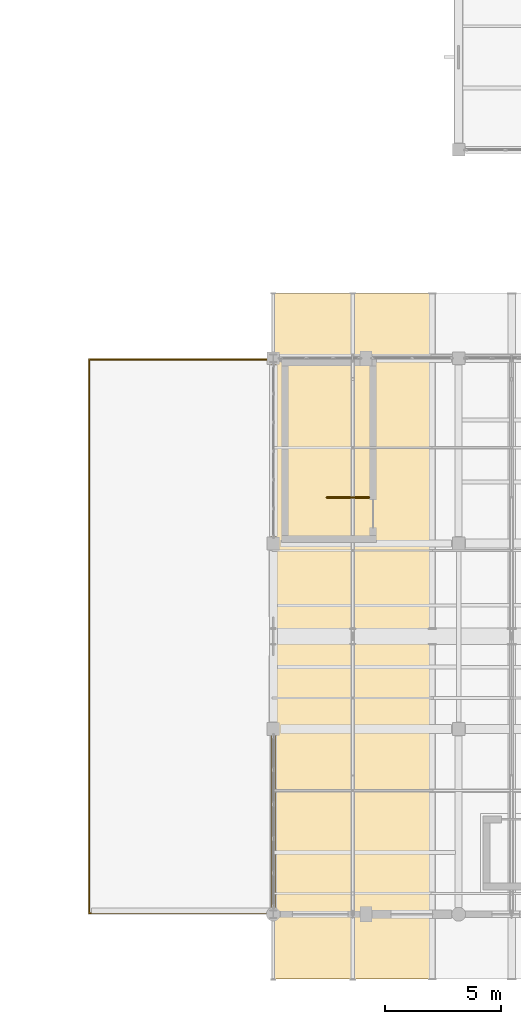
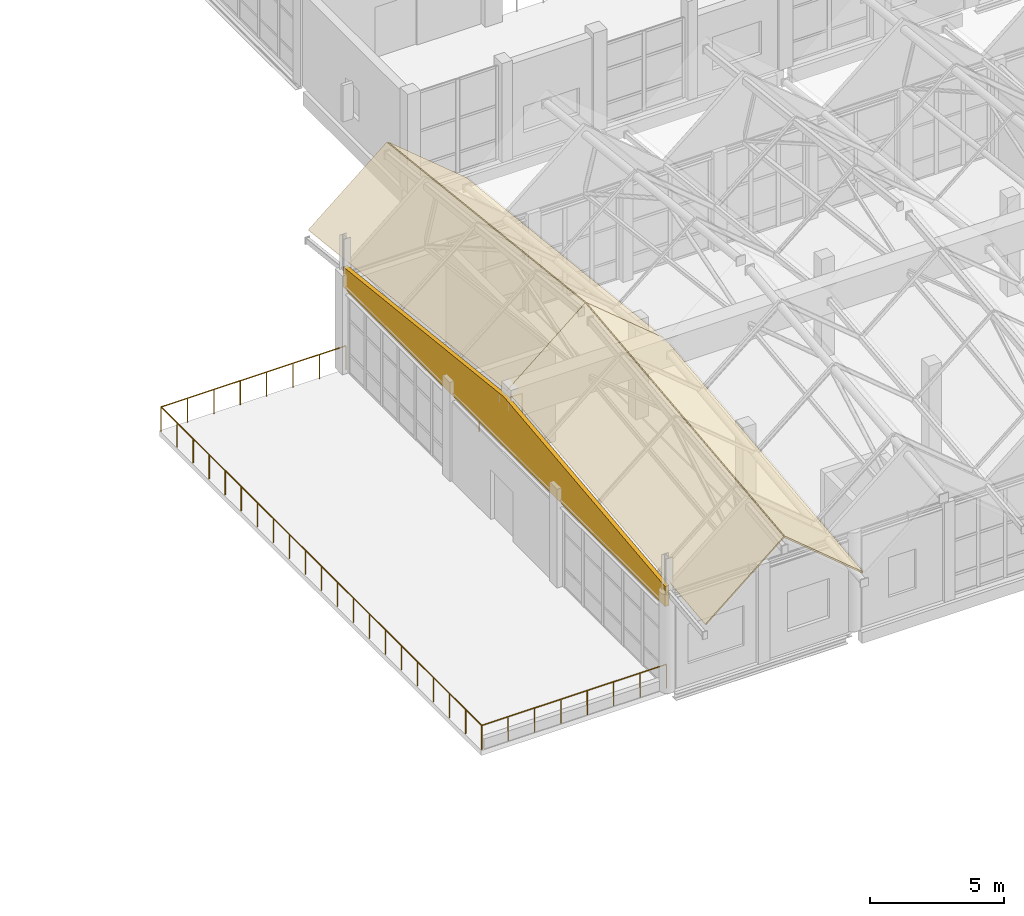
# One storey, part 172 of 183: 5 coverings, 2 railings.
"""IFC4 building model written with IfcOpenShell, lengths in metres."""

from ifc_helpers import new_model, si_unit, direction, frame, origin, origin_2d, place, context, subcontext, project, spatial, polyline, circle, outline, extrude, material, layer, layer_set, type_object, element, save


model = new_model("IFC4")

# Units and contexts
model_context = context("Model", 3, precision=1e-05, world=origin(), true_north=direction((0.0, 1.0)))
body_context = subcontext(model_context, "Body", "Model", "MODEL_VIEW")
ifc_project = project(units=[si_unit("LENGTHUNIT", "METRE"), si_unit("AREAUNIT", "SQUARE_METRE"), si_unit("VOLUMEUNIT", "CUBIC_METRE"), si_unit("PLANEANGLEUNIT", "RADIAN"), si_unit("MASSUNIT", "GRAM", prefix="KILO")], contexts=[model_context])

# Site, building, storey
site_placement = place(None, origin())
site = spatial("IfcSite", under=ifc_project, at=site_placement, CompositionType="ELEMENT")
building_placement = place(site_placement, origin())
building = spatial("IfcBuilding", under=site, at=building_placement, Name="Luwemba Playhouse", CompositionType="ELEMENT")
storey_placement = place(building_placement, frame((0.0, 0.0, 4.800048828125)))
storey = spatial("IfcBuildingStorey", under=building, at=storey_placement, Name="L01", CompositionType="ELEMENT", Elevation=4.800048828125)

# Coverings
ifc_material_1 = material(Name="Glazed terracotta clay roof tile", Category="masonry")
ifc_layer_1 = layer(ifc_material_1, 0.06494140625)
ifc_layer_set_1 = layer_set([ifc_layer_1], Name="Glazed terracotta clay roof tile")
covering_type_1 = type_object("IfcCoveringType", Name="COV-ROOF-TILE", PredefinedType="ROOFING", material=ifc_layer_set_1)
covering_1_placement = place(storey_placement, frame((124.02490234375, 0.199951171875, 4.63330078125), z_axis=(-0.637663786826, -0.085738529141, 0.765528444665), x_axis=(0.768357890007, -1.822107e-06, 0.640020431597)))
element("IfcCovering", 1, at=covering_1_placement, inside=storey, type_object=covering_type_1, Name="RF-V5E glazed clay-tile roofing 1S", PredefinedType="ROOFING", context=body_context, shape_type="SweptSolid", body=[
    extrude(outline(polyline([(0.0, 0.0), (4.397172938187752, 0.0), (5.458117340676576, 14.854758859845834), (1.0607881475006415, 14.85474277609651), (0.0, 0.0)])), origin(), (0.0, 0.0, -1.0), 0.06494140625),
])
covering_2_placement = place(storey_placement, frame((124.02490234375, 15.0, 6.290771484375), z_axis=(-0.637663786826, 0.085738529141, 0.765528444665), x_axis=(0.768357689297, -1.822042e-06, 0.640020672553)))
element("IfcCovering", 2, at=covering_2_placement, inside=storey, type_object=covering_type_1, Name="RF-V5E glazed clay-tile roofing 1N", PredefinedType="ROOFING", context=body_context, shape_type="SweptSolid", body=[
    extrude(outline(polyline([(0.0, 0.0), (4.397329193205349, -2.7755575615628914e-17), (3.3363304576938924, 14.85475497921739), (-1.060842480464447, 14.854738896039587), (0.0, 0.0)])), origin(), (0.0, 0.0, -1.0), 0.06494140625),
])
covering_3_placement = place(storey_placement, frame((127.45361328125, 0.199951171875, 7.447509765625), z_axis=(0.637675062127, -0.085731254495, 0.765519867243), x_axis=(0.768348697767, 0.0, -0.640031466914)))
element("IfcCovering", 3, at=covering_3_placement, inside=storey, type_object=covering_type_1, Name="RF-V5E glazed clay-tile roofing 2S", PredefinedType="ROOFING", context=body_context, shape_type="SweptSolid", body=[
    extrude(outline(polyline([(0.0, 0.0), (4.396985351273057, 2.7755575615628914e-17), (3.3361519457848576, 14.854739544414846), (-1.0608334054881996, 14.854739544414848), (0.0, 0.0)])), origin(), (0.0, 0.0, -1.0), 0.06494140625),
])
covering_4_placement = place(storey_placement, frame((127.45361328125, 15.0, 9.10498046875), z_axis=(0.637675062127, 0.085731254495, 0.765519867243), x_axis=(0.768348697767, 0.0, -0.640031466914)))
element("IfcCovering", 4, at=covering_4_placement, inside=storey, type_object=covering_type_1, Name="RF-V5E glazed clay-tile roofing 2N", PredefinedType="ROOFING", context=body_context, shape_type="SweptSolid", body=[
    extrude(outline(polyline([(0.0, 0.0), (4.396985351273057, -2.7755575615628914e-17), (5.457818756761256, 14.854739544414848), (1.0608334054881996, 14.854739544414848), (0.0, 0.0)])), origin(), (0.0, 0.0, -1.0), 0.06494140625),
])
ifc_material_2 = material(Name="Structural timber GL24h gable wall infill", Category="wood")
ifc_layer_2 = layer(ifc_material_2, 0.179931640625)
ifc_layer_set_2 = layer_set([ifc_layer_2], Name="Structural timber GL24h gable wall infill")
covering_type_2 = type_object("IfcCoveringType", Name="COV-TIM-TYMP", PredefinedType="CLADDING", material=ifc_layer_set_2)
covering_5_placement = place(storey_placement, frame((124.0, 3.0, 3.780029296875), z_axis=(0.0, 0.0, 1.0), x_axis=(0.0, 1.0, 0.0)))
element("IfcCovering", 5, at=covering_5_placement, inside=storey, type_object=covering_type_2, Name="RF-V5E west timber gable infill 026", PredefinedType="CLADDING", context=body_context, shape_type="SweptSolid", body=[
    extrude(outline(polyline([(0.0, 0.0), (24.0, 0.0), (24.0, 0.9150390625), (12.0, 2.259033203125), (0.0, 0.9150390625), (0.0, 0.0)])), frame((0.0, 0.08984375, 0.0), z_axis=(0.0, -1.0, 0.0), x_axis=(1.0, 0.0, 0.0)), (0.0, 0.0, 1.0), 0.179931640625),
])

# Railings
ifc_material_3 = material(Name="Painted wrought-iron balustrade", Category="steel")
railing_type_1 = type_object("IfcRailingType", Name="RLG-BAL-EXT", PredefinedType="BALUSTRADE", material=ifc_material_3)
railing_1_placement = place(storey_placement, frame((124.0, 3.050048828125, 0.0)))
element("IfcRailing", 6, at=railing_1_placement, inside=storey, type_object=railing_type_1, Name="L01 Forecourt Dining Terrace perimeter guard", PredefinedType="BALUSTRADE", context=body_context, shape_type="SweptSolid", body=[
    extrude(circle(Radius=0.02392578125, at=origin_2d()), frame((0.0, 0.0, 1.09619140625), z_axis=(-1.0, 0.0, 0.0), x_axis=(0.0, -1.0, 0.0)), (0.0, 0.0, 1.0), 7.949951171875),
    extrude(circle(Radius=0.02392578125, at=origin_2d()), frame((-7.949951171875, 0.0, 1.09619140625), z_axis=(0.0, 1.0, 0.0), x_axis=(-1.0, 0.0, 0.0)), (0.0, 0.0, 1.0), 23.89990234375),
    extrude(circle(Radius=0.02392578125, at=origin_2d()), frame((-7.949951171875, 23.89990234375, 1.09619140625), z_axis=(1.0, 0.0, 0.0), x_axis=(0.0, 1.0, 0.0)), (0.0, 0.0, 1.0), 7.949951171875),
    extrude(circle(Radius=0.02099609375, at=origin_2d()), origin(), (0.0, 0.0, 1.0), 1.072021484375),
    extrude(circle(Radius=0.02099609375, at=origin_2d()), frame((-1.1357421875, 0.0, 0.0)), (0.0, 0.0, 1.0), 1.072021484375),
    extrude(circle(Radius=0.02099609375, at=origin_2d()), frame((-2.271484375, 0.0, 0.0)), (0.0, 0.0, 1.0), 1.072021484375),
    extrude(circle(Radius=0.02099609375, at=origin_2d()), frame((-3.4072265625, 0.0, 0.0)), (0.0, 0.0, 1.0), 1.072021484375),
    extrude(circle(Radius=0.02099609375, at=origin_2d()), frame((-4.542724609375, 0.0, 0.0)), (0.0, 0.0, 1.0), 1.072021484375),
    extrude(circle(Radius=0.02099609375, at=origin_2d()), frame((-5.678466796875, 0.0, 0.0)), (0.0, 0.0, 1.0), 1.072021484375),
    extrude(circle(Radius=0.02099609375, at=origin_2d()), frame((-6.814208984375, 0.0, 0.0)), (0.0, 0.0, 1.0), 1.072021484375),
    extrude(circle(Radius=0.02099609375, at=origin_2d()), frame((-7.949951171875, 0.0, 0.0)), (0.0, 0.0, 1.0), 1.072021484375),
    extrude(circle(Radius=0.02099609375, at=origin_2d()), frame((-7.949951171875, 1.195068359375, 0.0)), (0.0, 0.0, 1.0), 1.072021484375),
    extrude(circle(Radius=0.02099609375, at=origin_2d()), frame((-7.949951171875, 2.389892578125, 0.0)), (0.0, 0.0, 1.0), 1.072021484375),
    extrude(circle(Radius=0.02099609375, at=origin_2d()), frame((-7.949951171875, 3.5849609375, 0.0)), (0.0, 0.0, 1.0), 1.072021484375),
    extrude(circle(Radius=0.02099609375, at=origin_2d()), frame((-7.949951171875, 4.780029296875, 0.0)), (0.0, 0.0, 1.0), 1.072021484375),
    extrude(circle(Radius=0.02099609375, at=origin_2d()), frame((-7.949951171875, 5.97509765625, 0.0)), (0.0, 0.0, 1.0), 1.072021484375),
    extrude(circle(Radius=0.02099609375, at=origin_2d()), frame((-7.949951171875, 7.169921875, 0.0)), (0.0, 0.0, 1.0), 1.072021484375),
    extrude(circle(Radius=0.02099609375, at=origin_2d()), frame((-7.949951171875, 8.364990234375, 0.0)), (0.0, 0.0, 1.0), 1.072021484375),
    extrude(circle(Radius=0.02099609375, at=origin_2d()), frame((-7.949951171875, 9.56005859375, 0.0)), (0.0, 0.0, 1.0), 1.072021484375),
    extrude(circle(Radius=0.02099609375, at=origin_2d()), frame((-7.949951171875, 10.7548828125, 0.0)), (0.0, 0.0, 1.0), 1.072021484375),
    extrude(circle(Radius=0.02099609375, at=origin_2d()), frame((-7.949951171875, 11.949951171875, 0.0)), (0.0, 0.0, 1.0), 1.072021484375),
    extrude(circle(Radius=0.02099609375, at=origin_2d()), frame((-7.949951171875, 13.14501953125, 0.0)), (0.0, 0.0, 1.0), 1.072021484375),
    extrude(circle(Radius=0.02099609375, at=origin_2d()), frame((-7.949951171875, 14.33984375, 0.0)), (0.0, 0.0, 1.0), 1.072021484375),
    extrude(circle(Radius=0.02099609375, at=origin_2d()), frame((-7.949951171875, 15.534912109375, 0.0)), (0.0, 0.0, 1.0), 1.072021484375),
    extrude(circle(Radius=0.02099609375, at=origin_2d()), frame((-7.949951171875, 16.72998046875, 0.0)), (0.0, 0.0, 1.0), 1.072021484375),
    extrude(circle(Radius=0.02099609375, at=origin_2d()), frame((-7.949951171875, 17.9248046875, 0.0)), (0.0, 0.0, 1.0), 1.072021484375),
    extrude(circle(Radius=0.02099609375, at=origin_2d()), frame((-7.949951171875, 19.119873046875, 0.0)), (0.0, 0.0, 1.0), 1.072021484375),
    extrude(circle(Radius=0.02099609375, at=origin_2d()), frame((-7.949951171875, 20.31494140625, 0.0)), (0.0, 0.0, 1.0), 1.072021484375),
    extrude(circle(Radius=0.02099609375, at=origin_2d()), frame((-7.949951171875, 21.510009765625, 0.0)), (0.0, 0.0, 1.0), 1.072021484375),
    extrude(circle(Radius=0.02099609375, at=origin_2d()), frame((-7.949951171875, 22.704833984375, 0.0)), (0.0, 0.0, 1.0), 1.072021484375),
    extrude(circle(Radius=0.02099609375, at=origin_2d()), frame((-7.949951171875, 23.89990234375, 0.0)), (0.0, 0.0, 1.0), 1.072021484375),
    extrude(circle(Radius=0.02099609375, at=origin_2d()), frame((-6.814208984375, 23.89990234375, 0.0)), (0.0, 0.0, 1.0), 1.072021484375),
    extrude(circle(Radius=0.02099609375, at=origin_2d()), frame((-5.678466796875, 23.89990234375, 0.0)), (0.0, 0.0, 1.0), 1.072021484375),
    extrude(circle(Radius=0.02099609375, at=origin_2d()), frame((-4.542724609375, 23.89990234375, 0.0)), (0.0, 0.0, 1.0), 1.072021484375),
    extrude(circle(Radius=0.02099609375, at=origin_2d()), frame((-3.4072265625, 23.89990234375, 0.0)), (0.0, 0.0, 1.0), 1.072021484375),
    extrude(circle(Radius=0.02099609375, at=origin_2d()), frame((-2.271484375, 23.89990234375, 0.0)), (0.0, 0.0, 1.0), 1.072021484375),
    extrude(circle(Radius=0.02099609375, at=origin_2d()), frame((-1.1357421875, 23.89990234375, 0.0)), (0.0, 0.0, 1.0), 1.072021484375),
    extrude(circle(Radius=0.02099609375, at=origin_2d()), frame((0.0, 23.89990234375, 0.0)), (0.0, 0.0, 1.0), 1.072021484375),
])
ifc_material_4 = material(Name="Painted wrought-iron gallery balustrade", Category="steel")
railing_type_2 = type_object("IfcRailingType", Name="RLG-BAL-INT", PredefinedType="BALUSTRADE", material=ifc_material_4)
railing_2_placement = place(storey_placement, frame((128.14990234375, 20.989990234375, 0.0)))
element("IfcRailing", 7, at=railing_2_placement, inside=storey, type_object=railing_type_2, Name="L01 ST-14 top well guard 1", PredefinedType="BALUSTRADE", context=body_context, shape_type="SweptSolid", body=[
    extrude(circle(Radius=0.02392578125, at=origin_2d()), frame((0.0, 0.0, 1.09619140625), z_axis=(-1.0, 0.0, 0.0), x_axis=(0.0, -1.0, 0.0)), (0.0, 0.0, 1.0), 1.849853515625),
    extrude(circle(Radius=0.02099609375, at=origin_2d()), origin(), (0.0, 0.0, 1.0), 1.072021484375),
    extrude(circle(Radius=0.02099609375, at=origin_2d()), frame((-0.9248046875, 0.0, 0.0)), (0.0, 0.0, 1.0), 1.072021484375),
    extrude(circle(Radius=0.02099609375, at=origin_2d()), frame((-1.849853515625, 0.0, 0.0)), (0.0, 0.0, 1.0), 1.072021484375),
])

save(model, "model.ifc")
